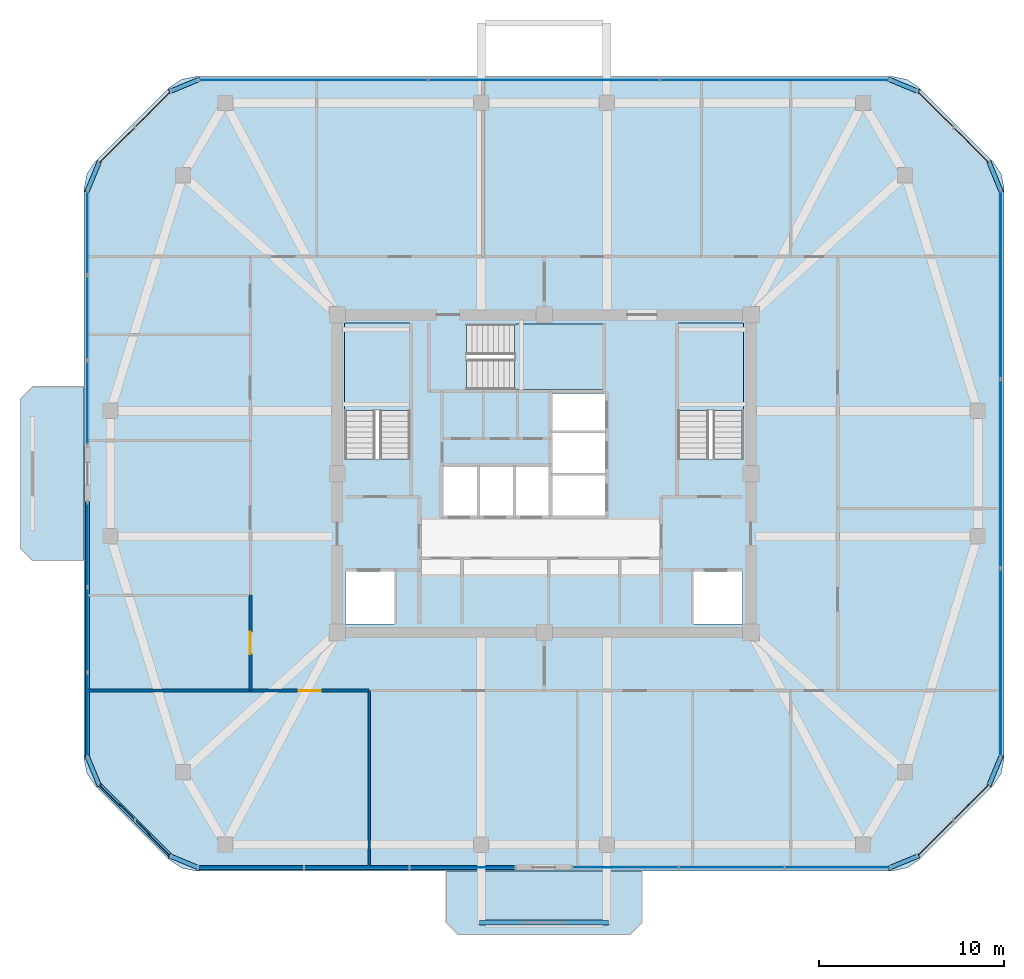
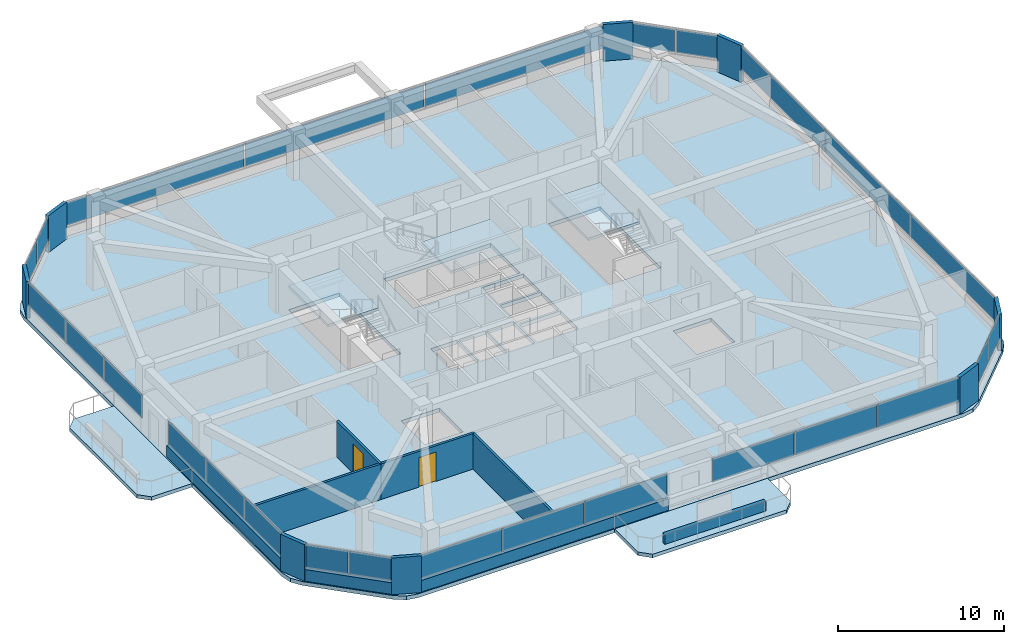
# One storey, part 7 of 13: 34 plates, 8 walls, 6 slabs, 2 doors, 2 openings, 13 elements without a shape of their own.
"""IFC4 building model written with IfcOpenShell, lengths in metres."""

from ifc_helpers import new_model, si_unit, derived_unit, direction, frame, frame_2d, origin, origin_2d, place, context, subcontext, project, spatial, polyline, rectangle, outline, extrude, material, layer, layer_set, type_object, element, fill, aggregate, save


model = new_model("IFC4")

# Units and contexts
model_context = context("Model", 3, precision=1e-05, world=origin(), true_north=direction((0.0, 1.0)))
body_context = subcontext(model_context, "Body", "Model", "MODEL_VIEW")
ifc_project = project(units=[si_unit("LENGTHUNIT", "METRE"), si_unit("AREAUNIT", "SQUARE_METRE"), si_unit("VOLUMEUNIT", "CUBIC_METRE"), si_unit("PLANEANGLEUNIT", "RADIAN"), si_unit("MASSUNIT", "GRAM", prefix="KILO"), derived_unit("THERMALTRANSMITTANCEUNIT", [(si_unit("POWERUNIT", "WATT"), 1), (si_unit("LENGTHUNIT", "METRE"), -2), (si_unit("THERMODYNAMICTEMPERATUREUNIT", "KELVIN"), -1)])], contexts=[model_context])

# Site, building, storey
site_placement = place(None, origin())
site = spatial("IfcSite", under=ifc_project, at=site_placement, CompositionType="ELEMENT")
building_placement = place(site_placement, origin())
building = spatial("IfcBuilding", under=site, at=building_placement, Name="Koralith Skygarden Medical Center", CompositionType="ELEMENT")
storey_placement = place(building_placement, frame((0.0, 0.0, 250.02001953125)))
storey = spatial("IfcBuildingStorey", under=building, at=storey_placement, Name="L64", CompositionType="ELEMENT", Elevation=250.02001953125)

# Curtain wall, plates
ifc_material_1 = material(Name="Clear Laminated Glass", Category="glass")
curtain_wall_type = type_object("IfcCurtainWallType", Name="CW-6 Zone 5 Upper Clinical Curtain Wall", PredefinedType="NOTDEFINED", material=ifc_material_1)
curtain_wall_1_placement = place(storey_placement, origin())
curtain_wall_1 = element("IfcCurtainWall", 1, at=curtain_wall_1_placement, inside=storey, type_object=curtain_wall_type, Name="Curtain Wall CW-L64-S-L", PredefinedType="NOTDEFINED")
ifc_layer_1 = layer(ifc_material_1, 0.0400390625)
ifc_layer_set_1 = layer_set([ifc_layer_1], Name="Clear Laminated Glass")
plate_type_1 = type_object("IfcPlateType", Name="CW-6 Hurricane Laminated IGU Panel 40", PredefinedType="CURTAIN_PANEL", material=ifc_layer_set_1)
plate_1_placement = place(storey_placement, frame((21.1220703125, 4.580078125, 0.919921875), z_axis=(0.0, 0.0, 1.0), x_axis=(1.0, 0.0, 0.0)))
plate_1 = element("IfcPlate", 2, at=plate_1_placement, type_object=plate_type_1, Name="CW-L64-S-L Glazed Panel 1", PredefinedType="CURTAIN_PANEL", context=body_context, shape_type="SweptSolid", body=[
    extrude(rectangle(XDim=5.64501953125, YDim=0.0400390625, at=origin_2d()), origin(), (0.0, 0.0, 1.0), 1.699951171875),
])
plate_2_placement = place(storey_placement, frame((26.85693359375, 4.580078125, 0.919921875), z_axis=(0.0, 0.0, 1.0), x_axis=(1.0, 0.0, 0.0)))
plate_2 = element("IfcPlate", 3, at=plate_2_placement, type_object=plate_type_1, Name="CW-L64-S-L Glazed Panel 2", PredefinedType="CURTAIN_PANEL", context=body_context, shape_type="SweptSolid", body=[
    extrude(rectangle(XDim=5.64501953125, YDim=0.0400390625, at=origin_2d()), origin(), (0.0, 0.0, 1.0), 1.699951171875),
])
plate_3_placement = place(storey_placement, frame((32.592041015625, 4.580078125, 0.919921875), z_axis=(0.0, 0.0, 1.0), x_axis=(1.0, 0.0, 0.0)))
plate_3 = element("IfcPlate", 4, at=plate_3_placement, type_object=plate_type_1, Name="CW-L64-S-L Glazed Panel 3", PredefinedType="CURTAIN_PANEL", context=body_context, shape_type="SweptSolid", body=[
    extrude(rectangle(XDim=5.64501953125, YDim=0.0400390625, at=origin_2d()), origin(), (0.0, 0.0, 1.0), 1.699951171875),
])
aggregate(curtain_wall_1, [plate_1, plate_2, plate_3])

curtain_wall_2_placement = place(storey_placement, origin())
curtain_wall_2 = element("IfcCurtainWall", 5, at=curtain_wall_2_placement, inside=storey, type_object=curtain_wall_type, Name="Curtain Wall CW-L64-S-R", PredefinedType="NOTDEFINED")
plate_4_placement = place(storey_placement, frame((41.406982421875, 4.580078125, 0.919921875), z_axis=(0.0, 0.0, 1.0), x_axis=(1.0, 0.0, 0.0)))
plate_4 = element("IfcPlate", 6, at=plate_4_placement, type_object=plate_type_1, Name="CW-L64-S-R Glazed Panel 1", PredefinedType="CURTAIN_PANEL", context=body_context, shape_type="SweptSolid", body=[
    extrude(rectangle(XDim=5.64501953125, YDim=0.0400390625, at=origin_2d()), origin(), (0.0, 0.0, 1.0), 1.699951171875),
])
plate_5_placement = place(storey_placement, frame((47.14208984375, 4.580078125, 0.919921875), z_axis=(0.0, 0.0, 1.0), x_axis=(1.0, 0.0, 0.0)))
plate_5 = element("IfcPlate", 7, at=plate_5_placement, type_object=plate_type_1, Name="CW-L64-S-R Glazed Panel 2", PredefinedType="CURTAIN_PANEL", context=body_context, shape_type="SweptSolid", body=[
    extrude(rectangle(XDim=5.64501953125, YDim=0.0400390625, at=origin_2d()), origin(), (0.0, 0.0, 1.0), 1.699951171875),
])
plate_6_placement = place(storey_placement, frame((52.876953125, 4.580078125, 0.919921875), z_axis=(0.0, 0.0, 1.0), x_axis=(1.0, 0.0, 0.0)))
plate_6 = element("IfcPlate", 8, at=plate_6_placement, type_object=plate_type_1, Name="CW-L64-S-R Glazed Panel 3", PredefinedType="CURTAIN_PANEL", context=body_context, shape_type="SweptSolid", body=[
    extrude(rectangle(XDim=5.64501953125, YDim=0.0400390625, at=origin_2d()), origin(), (0.0, 0.0, 1.0), 1.699951171875),
])
aggregate(curtain_wall_2, [plate_4, plate_5, plate_6])

curtain_wall_3_placement = place(storey_placement, origin())
curtain_wall_3 = element("IfcCurtainWall", 9, at=curtain_wall_3_placement, inside=storey, type_object=curtain_wall_type, Name="Curtain Wall CW-L64-SE", PredefinedType="NOTDEFINED")
plate_7_placement = place(storey_placement, frame((58.177001953125, 6.162109375, 0.919921875), z_axis=(0.0, 0.0, 1.0), x_axis=(0.707106781187, 0.707106781187, 0.0)))
plate_7 = element("IfcPlate", 10, at=plate_7_placement, type_object=plate_type_1, Name="CW-L64-SE Glazed Panel 1", PredefinedType="CURTAIN_PANEL", context=body_context, shape_type="SweptSolid", body=[
    extrude(rectangle(XDim=2.68408203125, YDim=0.0400390625, at=origin_2d()), origin(), (0.0, 0.0, 1.0), 1.699951171875),
])
plate_8_placement = place(storey_placement, frame((60.137939453125, 8.123046875, 0.919921875), z_axis=(0.0, 0.0, 1.0), x_axis=(0.707106781187, 0.707106781187, 0.0)))
plate_8 = element("IfcPlate", 11, at=plate_8_placement, type_object=plate_type_1, Name="CW-L64-SE Glazed Panel 2", PredefinedType="CURTAIN_PANEL", context=body_context, shape_type="SweptSolid", body=[
    extrude(rectangle(XDim=2.68408203125, YDim=0.0400390625, at=origin_2d()), origin(), (0.0, 0.0, 1.0), 1.699951171875),
])
aggregate(curtain_wall_3, [plate_7, plate_8])

curtain_wall_4_placement = place(storey_placement, origin())
curtain_wall_4 = element("IfcCurtainWall", 12, at=curtain_wall_4_placement, inside=storey, type_object=curtain_wall_type, Name="Curtain Wall CW-L64-E", PredefinedType="NOTDEFINED")
plate_9_placement = place(storey_placement, frame((61.719970703125, 15.669921875, 0.919921875), z_axis=(0.0, 0.0, 1.0), x_axis=(0.0, 1.0, 0.0)))
plate_9 = element("IfcPlate", 13, at=plate_9_placement, type_object=plate_type_1, Name="CW-L64-E Glazed Panel 1", PredefinedType="CURTAIN_PANEL", context=body_context, shape_type="SweptSolid", body=[
    extrude(rectangle(XDim=10.139892578125, YDim=0.0400390625, at=origin_2d()), origin(), (0.0, 0.0, 1.0), 1.699951171875),
])
plate_10_placement = place(storey_placement, frame((61.719970703125, 25.89990234375, 0.919921875), z_axis=(0.0, 0.0, 1.0), x_axis=(0.0, 1.0, 0.0)))
plate_10 = element("IfcPlate", 14, at=plate_10_placement, type_object=plate_type_1, Name="CW-L64-E Glazed Panel 2", PredefinedType="CURTAIN_PANEL", context=body_context, shape_type="SweptSolid", body=[
    extrude(rectangle(XDim=10.139892578125, YDim=0.0400390625, at=origin_2d()), origin(), (0.0, 0.0, 1.0), 1.699951171875),
])
plate_11_placement = place(storey_placement, frame((61.719970703125, 36.1298828125, 0.919921875), z_axis=(0.0, 0.0, 1.0), x_axis=(0.0, 1.0, 0.0)))
plate_11 = element("IfcPlate", 15, at=plate_11_placement, type_object=plate_type_1, Name="CW-L64-E Glazed Panel 3", PredefinedType="CURTAIN_PANEL", context=body_context, shape_type="SweptSolid", body=[
    extrude(rectangle(XDim=10.139892578125, YDim=0.0400390625, at=origin_2d()), origin(), (0.0, 0.0, 1.0), 1.699951171875),
])
aggregate(curtain_wall_4, [plate_9, plate_10, plate_11])

curtain_wall_5_placement = place(storey_placement, origin())
curtain_wall_5 = element("IfcCurtainWall", 16, at=curtain_wall_5_placement, inside=storey, type_object=curtain_wall_type, Name="Curtain Wall CW-L64-NE", PredefinedType="NOTDEFINED")
plate_12_placement = place(storey_placement, frame((60.137939453125, 43.677001953125, 0.919921875), z_axis=(0.0, 0.0, 1.0), x_axis=(-0.707106781187, 0.707106781187, 0.0)))
plate_12 = element("IfcPlate", 17, at=plate_12_placement, type_object=plate_type_1, Name="CW-L64-NE Glazed Panel 1", PredefinedType="CURTAIN_PANEL", context=body_context, shape_type="SweptSolid", body=[
    extrude(rectangle(XDim=2.68408203125, YDim=0.0400390625, at=origin_2d()), origin(), (0.0, 0.0, 1.0), 1.699951171875),
])
plate_13_placement = place(storey_placement, frame((58.177001953125, 45.637939453125, 0.919921875), z_axis=(0.0, 0.0, 1.0), x_axis=(-0.707106781187, 0.707106781187, 0.0)))
plate_13 = element("IfcPlate", 18, at=plate_13_placement, type_object=plate_type_1, Name="CW-L64-NE Glazed Panel 2", PredefinedType="CURTAIN_PANEL", context=body_context, shape_type="SweptSolid", body=[
    extrude(rectangle(XDim=2.68408203125, YDim=0.0400390625, at=origin_2d()), origin(), (0.0, 0.0, 1.0), 1.699951171875),
])
aggregate(curtain_wall_5, [plate_12, plate_13])

curtain_wall_6_placement = place(storey_placement, origin())
curtain_wall_6 = element("IfcCurtainWall", 19, at=curtain_wall_6_placement, inside=storey, type_object=curtain_wall_type, Name="Curtain Wall CW-L64-N", PredefinedType="NOTDEFINED")
plate_14_placement = place(storey_placement, frame((49.4970703125, 47.219970703125, 0.919921875), z_axis=(0.0, 0.0, 1.0), x_axis=(-1.0, 0.0, 0.0)))
plate_14 = element("IfcPlate", 20, at=plate_14_placement, type_object=plate_type_1, Name="CW-L64-N Glazed Panel 1", PredefinedType="CURTAIN_PANEL", context=body_context, shape_type="SweptSolid", body=[
    extrude(rectangle(XDim=12.406982421875, YDim=0.0400390625, at=origin_2d()), origin(), (0.0, 0.0, 1.0), 1.699951171875),
])
plate_15_placement = place(storey_placement, frame((37.0, 47.219970703125, 0.919921875), z_axis=(0.0, 0.0, 1.0), x_axis=(-1.0, 0.0, 0.0)))
plate_15 = element("IfcPlate", 21, at=plate_15_placement, type_object=plate_type_1, Name="CW-L64-N Glazed Panel 2", PredefinedType="CURTAIN_PANEL", context=body_context, shape_type="SweptSolid", body=[
    extrude(rectangle(XDim=12.406982421875, YDim=0.0400390625, at=origin_2d()), origin(), (0.0, 0.0, 1.0), 1.699951171875),
])
plate_16_placement = place(storey_placement, frame((24.5029296875, 47.219970703125, 0.919921875), z_axis=(0.0, 0.0, 1.0), x_axis=(-1.0, 0.0, 0.0)))
plate_16 = element("IfcPlate", 22, at=plate_16_placement, type_object=plate_type_1, Name="CW-L64-N Glazed Panel 3", PredefinedType="CURTAIN_PANEL", context=body_context, shape_type="SweptSolid", body=[
    extrude(rectangle(XDim=12.406982421875, YDim=0.0400390625, at=origin_2d()), origin(), (0.0, 0.0, 1.0), 1.699951171875),
])
aggregate(curtain_wall_6, [plate_14, plate_15, plate_16])

curtain_wall_7_placement = place(storey_placement, origin())
curtain_wall_7 = element("IfcCurtainWall", 23, at=curtain_wall_7_placement, inside=storey, type_object=curtain_wall_type, Name="Curtain Wall CW-L64-NW", PredefinedType="NOTDEFINED")
plate_17_placement = place(storey_placement, frame((15.822998046875, 45.637939453125, 0.919921875), z_axis=(0.0, 0.0, 1.0), x_axis=(-0.707106781187, -0.707106781187, 0.0)))
plate_17 = element("IfcPlate", 24, at=plate_17_placement, type_object=plate_type_1, Name="CW-L64-NW Glazed Panel 1", PredefinedType="CURTAIN_PANEL", context=body_context, shape_type="SweptSolid", body=[
    extrude(rectangle(XDim=2.68408203125, YDim=0.0400390625, at=origin_2d()), origin(), (0.0, 0.0, 1.0), 1.699951171875),
])
plate_18_placement = place(storey_placement, frame((13.862060546875, 43.677001953125, 0.919921875), z_axis=(0.0, 0.0, 1.0), x_axis=(-0.707106781187, -0.707106781187, 0.0)))
plate_18 = element("IfcPlate", 25, at=plate_18_placement, type_object=plate_type_1, Name="CW-L64-NW Glazed Panel 2", PredefinedType="CURTAIN_PANEL", context=body_context, shape_type="SweptSolid", body=[
    extrude(rectangle(XDim=2.68408203125, YDim=0.0400390625, at=origin_2d()), origin(), (0.0, 0.0, 1.0), 1.699951171875),
])
aggregate(curtain_wall_7, [plate_17, plate_18])

curtain_wall_8_placement = place(storey_placement, origin())
curtain_wall_8 = element("IfcCurtainWall", 26, at=curtain_wall_8_placement, inside=storey, type_object=curtain_wall_type, Name="Curtain Wall CW-L64-W-L", PredefinedType="NOTDEFINED")
plate_19_placement = place(storey_placement, frame((12.280029296875, 38.944091796875, 0.919921875), z_axis=(0.0, 0.0, 1.0), x_axis=(0.0, -1.0, 0.0)))
plate_19 = element("IfcPlate", 27, at=plate_19_placement, type_object=plate_type_1, Name="CW-L64-W-L Glazed Panel 1", PredefinedType="CURTAIN_PANEL", context=body_context, shape_type="SweptSolid", body=[
    extrude(rectangle(XDim=4.511962890625, YDim=0.0400390625, at=origin_2d()), origin(), (0.0, 0.0, 1.0), 1.699951171875),
])
plate_20_placement = place(storey_placement, frame((12.280029296875, 34.343017578125, 0.919921875), z_axis=(0.0, 0.0, 1.0), x_axis=(0.0, -1.0, 0.0)))
plate_20 = element("IfcPlate", 28, at=plate_20_placement, type_object=plate_type_1, Name="CW-L64-W-L Glazed Panel 2", PredefinedType="CURTAIN_PANEL", context=body_context, shape_type="SweptSolid", body=[
    extrude(rectangle(XDim=4.511962890625, YDim=0.0400390625, at=origin_2d()), origin(), (0.0, 0.0, 1.0), 1.699951171875),
])
plate_21_placement = place(storey_placement, frame((12.280029296875, 29.740966796875, 0.919921875), z_axis=(0.0, 0.0, 1.0), x_axis=(0.0, -1.0, 0.0)))
plate_21 = element("IfcPlate", 29, at=plate_21_placement, type_object=plate_type_1, Name="CW-L64-W-L Glazed Panel 3", PredefinedType="CURTAIN_PANEL", context=body_context, shape_type="SweptSolid", body=[
    extrude(rectangle(XDim=4.511962890625, YDim=0.0400390625, at=origin_2d()), origin(), (0.0, 0.0, 1.0), 1.699951171875),
])
aggregate(curtain_wall_8, [plate_19, plate_20, plate_21])

curtain_wall_9_placement = place(storey_placement, origin())
curtain_wall_9 = element("IfcCurtainWall", 30, at=curtain_wall_9_placement, inside=storey, type_object=curtain_wall_type, Name="Curtain Wall CW-L64-W-R", PredefinedType="NOTDEFINED")
plate_22_placement = place(storey_placement, frame((12.280029296875, 22.05908203125, 0.919921875), z_axis=(0.0, 0.0, 1.0), x_axis=(0.0, -1.0, 0.0)))
plate_22 = element("IfcPlate", 31, at=plate_22_placement, type_object=plate_type_1, Name="CW-L64-W-R Glazed Panel 1", PredefinedType="CURTAIN_PANEL", context=body_context, shape_type="SweptSolid", body=[
    extrude(rectangle(XDim=4.511962890625, YDim=0.0400390625, at=origin_2d()), origin(), (0.0, 0.0, 1.0), 1.699951171875),
])
plate_23_placement = place(storey_placement, frame((12.280029296875, 17.45703125, 0.919921875), z_axis=(0.0, 0.0, 1.0), x_axis=(0.0, -1.0, 0.0)))
plate_23 = element("IfcPlate", 32, at=plate_23_placement, type_object=plate_type_1, Name="CW-L64-W-R Glazed Panel 2", PredefinedType="CURTAIN_PANEL", context=body_context, shape_type="SweptSolid", body=[
    extrude(rectangle(XDim=4.511962890625, YDim=0.0400390625, at=origin_2d()), origin(), (0.0, 0.0, 1.0), 1.699951171875),
])
plate_24_placement = place(storey_placement, frame((12.280029296875, 12.85595703125, 0.919921875), z_axis=(0.0, 0.0, 1.0), x_axis=(0.0, -1.0, 0.0)))
plate_24 = element("IfcPlate", 33, at=plate_24_placement, type_object=plate_type_1, Name="CW-L64-W-R Glazed Panel 3", PredefinedType="CURTAIN_PANEL", context=body_context, shape_type="SweptSolid", body=[
    extrude(rectangle(XDim=4.511962890625, YDim=0.0400390625, at=origin_2d()), origin(), (0.0, 0.0, 1.0), 1.699951171875),
])
aggregate(curtain_wall_9, [plate_22, plate_23, plate_24])

curtain_wall_10_placement = place(storey_placement, origin())
curtain_wall_10 = element("IfcCurtainWall", 34, at=curtain_wall_10_placement, inside=storey, type_object=curtain_wall_type, Name="Curtain Wall CW-L64-SW", PredefinedType="NOTDEFINED")
plate_25_placement = place(storey_placement, frame((13.862060546875, 8.123046875, 0.919921875), z_axis=(0.0, 0.0, 1.0), x_axis=(0.707106781187, -0.707106781187, 0.0)))
plate_25 = element("IfcPlate", 35, at=plate_25_placement, type_object=plate_type_1, Name="CW-L64-SW Glazed Panel 1", PredefinedType="CURTAIN_PANEL", context=body_context, shape_type="SweptSolid", body=[
    extrude(rectangle(XDim=2.68408203125, YDim=0.0400390625, at=origin_2d()), origin(), (0.0, 0.0, 1.0), 1.699951171875),
])
plate_26_placement = place(storey_placement, frame((15.822998046875, 6.162109375, 0.919921875), z_axis=(0.0, 0.0, 1.0), x_axis=(0.707106781187, -0.707106781187, 0.0)))
plate_26 = element("IfcPlate", 36, at=plate_26_placement, type_object=plate_type_1, Name="CW-L64-SW Glazed Panel 2", PredefinedType="CURTAIN_PANEL", context=body_context, shape_type="SweptSolid", body=[
    extrude(rectangle(XDim=2.68408203125, YDim=0.0400390625, at=origin_2d()), origin(), (0.0, 0.0, 1.0), 1.699951171875),
])
aggregate(curtain_wall_10, [plate_25, plate_26])

# Slabs
ifc_material_2 = material(Name="Concrete C45/55", Category="concrete")
ifc_layer_2 = layer(ifc_material_2, 0.260009765625)
ifc_layer_set_2 = layer_set([ifc_layer_2], Name="Concrete C45/55")
slab_type_1 = type_object("IfcSlabType", Name="Cantilevered Planted Balcony Slab 260", PredefinedType="FLOOR", material=ifc_layer_set_2)
slab_1_placement = place(storey_placement, frame((0.0, 0.0, -0.260009765625)))
element("IfcSlab", 37, at=slab_1_placement, inside=storey, type_object=slab_type_1, Name="L64 S Planted Sky-Garden Balcony Slab", PredefinedType="FLOOR", context=body_context, shape_type="SweptSolid", body=[
    extrude(outline(polyline([(32.35009765625, 0.949951171875), (41.64990234375, 0.949951171875), (42.300048828125, 1.60009765625), (42.300048828125, 4.39990234375), (31.699951171875, 4.39990234375), (31.699951171875, 1.60009765625), (32.35009765625, 0.949951171875)])), origin(), (0.0, 0.0, 1.0), 0.260009765625),
])
slab_2_placement = place(storey_placement, frame((0.0, 0.0, -0.260009765625)))
element("IfcSlab", 38, at=slab_2_placement, inside=storey, type_object=slab_type_1, Name="L64 W Planted Sky-Garden Balcony Slab", PredefinedType="FLOOR", context=body_context, shape_type="SweptSolid", body=[
    extrude(outline(polyline([(9.300048828125, 21.199951171875), (12.10009765625, 21.199951171875), (12.10009765625, 30.60009765625), (9.300048828125, 30.60009765625), (8.64990234375, 29.949951171875), (8.64990234375, 21.85009765625), (9.300048828125, 21.199951171875)])), origin(), (0.0, 0.0, 1.0), 0.260009765625),
])

# Stair, slab
stair_type = type_object("IfcStairType", Name="Core Exit Dogleg Concrete Stair", PredefinedType="HALF_TURN_STAIR", material=ifc_material_2)
stair_1_placement = place(storey_placement, origin())
stair_1 = element("IfcStair", 39, at=stair_1_placement, inside=storey, type_object=stair_type, Name="L64 Smokeproof Exit Stair ST1", PredefinedType="HALF_TURN_STAIR")
ifc_layer_3 = layer(ifc_material_2, 0.199951171875)
ifc_layer_set_3 = layer_set([ifc_layer_3], Name="Concrete C45/55")
slab_type_2 = type_object("IfcSlabType", Name="Core Exit Concrete Stair Landing 200", PredefinedType="LANDING", material=ifc_layer_set_3)
slab_3_placement = place(storey_placement, frame((0.0, 0.0, 1.60009765625)))
slab_3 = element("IfcSlab", 40, at=slab_3_placement, type_object=slab_type_2, Name="ST1 landing 1", PredefinedType="LANDING", context=body_context, shape_type="SweptSolid", body=[
    extrude(outline(polyline([(29.75, 29.31005859375), (29.75, 34.050048828125), (26.199951171875, 34.050048828125), (26.199951171875, 29.31005859375), (29.75, 29.31005859375)])), origin(), (0.0, 0.0, 1.0), 0.199951171875),
])
aggregate(stair_1, [slab_3])

stair_2_placement = place(storey_placement, origin())
stair_2 = element("IfcStair", 41, at=stair_2_placement, inside=storey, type_object=stair_type, Name="L64 Smokeproof Exit Stair ST2", PredefinedType="HALF_TURN_STAIR")
slab_4_placement = place(storey_placement, frame((0.0, 0.0, 1.60009765625)))
slab_4 = element("IfcSlab", 42, at=slab_4_placement, type_object=slab_type_2, Name="ST2 landing 1", PredefinedType="LANDING", context=body_context, shape_type="SweptSolid", body=[
    extrude(outline(polyline([(47.800048828125, 29.31005859375), (47.800048828125, 34.050048828125), (44.25, 34.050048828125), (44.25, 29.31005859375), (47.800048828125, 29.31005859375)])), origin(), (0.0, 0.0, 1.0), 0.199951171875),
])
aggregate(stair_2, [slab_4])

stair_3_placement = place(storey_placement, origin())
stair_3 = element("IfcStair", 43, at=stair_3_placement, inside=storey, type_object=stair_type, Name="L64 Smokeproof Exit Stair ST3", PredefinedType="HALF_TURN_STAIR")
slab_5_placement = place(storey_placement, frame((0.0, 0.0, 1.60009765625)))
slab_5 = element("IfcSlab", 44, at=slab_5_placement, type_object=slab_type_2, Name="ST3 landing 1", PredefinedType="LANDING", context=body_context, shape_type="SweptSolid", body=[
    extrude(outline(polyline([(35.409912109375, 30.449951171875), (40.199951171875, 30.449951171875), (40.199951171875, 34.0), (35.409912109375, 34.0), (35.409912109375, 30.449951171875)])), origin(), (0.0, 0.0, 1.0), 0.199951171875),
])
aggregate(stair_3, [slab_5])

# Slab
ifc_layer_4 = layer(ifc_material_2, 0.280029296875)
ifc_layer_set_4 = layer_set([ifc_layer_4], Name="Concrete C45/55")
slab_type_3 = type_object("IfcSlabType", Name="Post-Tensioned Ward Floor Plate 280", PredefinedType="FLOOR", material=ifc_layer_set_4)
slab_6_placement = place(storey_placement, frame((0.0, 0.0, -0.280029296875)))
element("IfcSlab", 45, at=slab_6_placement, inside=storey, type_object=slab_type_3, Name="Level L64 Structural Floor Slab", PredefinedType="FLOOR", context=body_context, shape_type="SweptSolid", body=[
    extrude(outline(polyline([(16.714111328125, 4.986083984375), (17.363037109375, 4.552001953125), (18.1279296875, 4.39990234375), (55.8720703125, 4.39990234375), (56.636962890625, 4.552001953125), (57.285888671875, 4.986083984375), (61.31396484375, 9.013916015625), (61.748046875, 9.6630859375), (61.89990234375, 10.427978515625), (61.89990234375, 41.3720703125), (61.748046875, 42.136962890625), (61.31396484375, 42.785888671875), (57.285888671875, 46.81396484375), (56.636962890625, 47.248046875), (55.8720703125, 47.39990234375), (18.1279296875, 47.39990234375), (17.363037109375, 47.248046875), (16.714111328125, 46.81396484375), (12.68603515625, 42.785888671875), (12.251953125, 42.136962890625), (12.10009765625, 41.3720703125), (12.10009765625, 10.427978515625), (12.251953125, 9.6630859375), (12.68603515625, 9.013916015625), (16.714111328125, 4.986083984375)]), holes=[polyline([(26.199951171875, 26.705078125), (29.75, 26.705078125), (29.75, 34.050048828125), (26.199951171875, 34.050048828125), (26.199951171875, 26.705078125)]), polyline([(44.25, 26.705078125), (47.800048828125, 26.705078125), (47.800048828125, 34.050048828125), (44.25, 34.050048828125), (44.25, 26.705078125)]), polyline([(32.804931640625, 30.449951171875), (40.199951171875, 30.449951171875), (40.199951171875, 34.0), (32.804931640625, 34.0), (32.804931640625, 30.449951171875)]), polyline([(26.25, 17.75), (28.89990234375, 17.75), (28.89990234375, 20.60009765625), (26.25, 20.60009765625), (26.25, 17.75)]), polyline([(45.10009765625, 17.75), (47.75, 17.75), (47.75, 20.60009765625), (45.10009765625, 20.60009765625), (45.10009765625, 17.75)]), polyline([(31.550048828125, 23.64990234375), (33.39990234375, 23.64990234375), (33.39990234375, 26.25), (31.550048828125, 26.25), (31.550048828125, 23.64990234375)]), polyline([(33.5, 23.64990234375), (35.35009765625, 23.64990234375), (35.35009765625, 26.25), (33.5, 26.25), (33.5, 23.64990234375)]), polyline([(35.449951171875, 23.64990234375), (37.300048828125, 23.64990234375), (37.300048828125, 26.25), (35.449951171875, 26.25), (35.449951171875, 23.64990234375)]), polyline([(37.449951171875, 23.64990234375), (40.300048828125, 23.64990234375), (40.300048828125, 25.800048828125), (37.449951171875, 25.800048828125), (37.449951171875, 23.64990234375)]), polyline([(37.449951171875, 25.949951171875), (40.300048828125, 25.949951171875), (40.300048828125, 28.10009765625), (37.449951171875, 28.10009765625), (37.449951171875, 25.949951171875)]), polyline([(37.449951171875, 28.25), (40.300048828125, 28.25), (40.300048828125, 30.25), (37.449951171875, 30.25), (37.449951171875, 28.25)])]), origin(), (0.0, 0.0, 1.0), 0.280029296875),
])

# Plates
ifc_material_3 = material(Name="Warm Oolitic Limestone Cladding", Category="masonry")
ifc_layer_5 = layer(ifc_material_3, 0.239990234375)
ifc_layer_set_5 = layer_set([ifc_layer_5], Name="Warm Oolitic Limestone Cladding")
plate_type_2 = type_object("IfcPlateType", Name="Rounded-Corner Oolitic Limestone Cladding Panel 240", PredefinedType="USERDEFINED", material=ifc_layer_set_5)
for number, where, z_axis, x_axis, name in (
    (46, (56.470947265625, 4.8798828125, 0.0), (0.0, 0.0, 1.0), (0.92388487569, 0.382670532536, 0.0), "L64 Rounded-Corner Limestone Pier 1"),
    (47, (61.4189453125, 9.8291015625, 0.0), (0.0, 0.0, 1.0), (0.382670532536, 0.92388487569, 0.0), "L64 Rounded-Corner Limestone Pier 2"),
    (48, (61.4189453125, 41.970947265625, 0.0), (0.0, 0.0, 1.0), (-0.382670532536, 0.92388487569, 0.0), "L64 Rounded-Corner Limestone Pier 3"),
    (49, (56.470947265625, 46.9189453125, 0.0), (0.0, 0.0, 1.0), (-0.92388487569, 0.382670532536, 0.0), "L64 Rounded-Corner Limestone Pier 4"),
    (50, (17.529052734375, 46.9189453125, 0.0), (0.0, 0.0, 1.0), (-0.92388487569, -0.382670532536, 0.0), "L64 Rounded-Corner Limestone Pier 5"),
    (51, (12.5810546875, 41.970947265625, 0.0), (0.0, 0.0, 1.0), (-0.382670532536, -0.92388487569, 0.0), "L64 Rounded-Corner Limestone Pier 6"),
    (52, (12.5810546875, 9.8291015625, 0.0), (0.0, 0.0, 1.0), (0.382670532536, -0.92388487569, 0.0), "L64 Rounded-Corner Limestone Pier 7"),
    (53, (17.529052734375, 4.8798828125, 0.0), (0.0, 0.0, 1.0), (0.92388487569, -0.382670532536, 0.0), "L64 Rounded-Corner Limestone Pier 8"),
):
    element("IfcPlate", number, at=place(storey_placement, frame(where, z_axis=z_axis, x_axis=x_axis)), inside=storey, type_object=plate_type_2, Name=name, ObjectType="LIMESTONE CLADDING", PredefinedType="USERDEFINED", context=body_context, shape_type="SweptSolid", body=[
        extrude(rectangle(XDim=1.81103515625, YDim=0.239990234375, at=origin_2d()), origin(), (0.0, 0.0, 1.0), 2.68994140625),
    ])

# Walls
ifc_material_4 = material(Name="Gypsum Board Partition")
ifc_layer_6 = layer(ifc_material_4, 0.14990234375)
ifc_layer_set_6 = layer_set([ifc_layer_6], Name="Gypsum Board Partition")
wall_type_1 = type_object("IfcWallType", Name="Clinical Acoustic Partition 150", PredefinedType="PARTITIONING", material=ifc_layer_set_6)
wall_1_placement = place(storey_placement, frame((27.528076171875, 14.14990234375, 0.0), z_axis=(0.0, 0.0, 1.0), x_axis=(0.0, -1.0, 0.0)))
element("IfcWall", 54, at=wall_1_placement, inside=storey, type_object=wall_type_1, Name="L64 Clinical Acoustic Partition 150 W-PART-L64-S-01", PredefinedType="PARTITIONING", context=body_context, shape_type="SweptSolid", body=[
    extrude(rectangle(XDim=9.5498046875, YDim=0.14990234375, at=frame_2d((4.77490234375, 0.0))), origin(), (0.0, 0.0, 1.0), 2.60986328125),
])
ifc_layer_7 = layer(ifc_material_4, 0.1650390625)
ifc_layer_set_7 = layer_set([ifc_layer_7], Name="Gypsum Board Partition")
wall_type_2 = type_object("IfcWallType", Name="Clinical Corridor Partition 165", PredefinedType="PARTITIONING", material=ifc_layer_set_7)
wall_2_placement = place(storey_placement, frame((12.300048828125, 14.14990234375, 0.0), z_axis=(0.0, 0.0, 1.0), x_axis=(1.0, 0.0, 0.0)))
element("IfcWall", 55, at=wall_2_placement, inside=storey, type_object=wall_type_2, Name="L64 Clinical Corridor Partition 165 W-WB-L64-SW", PredefinedType="PARTITIONING", context=body_context, shape_type="SweptSolid", body=[
    extrude(rectangle(XDim=8.800048828125, YDim=0.1650390625, at=frame_2d((4.39990234375, 0.0))), origin(), (0.0, 0.0, 1.0), 2.60986328125),
])

# Wall, opening, door
wall_3_placement = place(storey_placement, frame((21.10009765625, 14.14990234375, 0.0), z_axis=(0.0, 0.0, 1.0), x_axis=(1.0, 0.0, 0.0)))
wall_3 = element("IfcWall", 56, at=wall_3_placement, inside=storey, type_object=wall_type_2, Name="L64 Clinical Corridor Partition 165 W-CORR-L64-S-01", PredefinedType="PARTITIONING", context=body_context, shape_type="SweptSolid", body=[
    extrude(rectangle(XDim=6.427978515625, YDim=0.1650390625, at=frame_2d((3.2138671875, 0.0))), origin(), (0.0, 0.0, 1.0), 2.60986328125),
])
opening_1_placement = place(wall_3_placement, frame((2.614013671875, 0.0, 0.0)))
opening_1 = element("IfcOpeningElement", 57, at=opening_1_placement, cuts=wall_3, Name="Opening D-CLN", PredefinedType="OPENING", context=body_context, shape_type="SweptSolid", body=[
    extrude(rectangle(XDim=1.199951171875, YDim=2.14990234375, at=frame_2d((0.60009765625, 1.074951171875))), frame((0.0, 0.092529296875, 0.0), z_axis=(0.0, -1.0, 0.0), x_axis=(1.0, 0.0, 0.0)), (0.0, 0.0, 1.0), 0.18505859375),
])
ifc_material_5 = material(Name="Aluminium 6063-T6", Category="aluminium")
door_type = type_object("IfcDoorType", Name="Clinical Corridor Door D-CLN 1200", OperationType="NOTDEFINED", PredefinedType="DOOR", material=ifc_material_5)
door_1_placement = place(opening_1_placement, frame((1.199951171875, 0.0, 0.0), z_axis=(0.0, 0.0, 1.0), x_axis=(-1.0, 0.0, 0.0)))
door_1 = element("IfcDoor", 58, at=door_1_placement, inside=storey, type_object=door_type, Name="L64 Clinical Pharmacist Office 06 Door", OperationType="SINGLE_SWING_LEFT", OverallHeight=2.14990234375, OverallWidth=1.199951171875, PredefinedType="DOOR", context=body_context, shape_type="SweptSolid", body=[
    extrude(rectangle(XDim=1.199951171875, YDim=2.14990234375, at=frame_2d((0.60009765625, 1.074951171875))), frame((0.0, 0.02490234375, 0.0), z_axis=(0.0, -1.0, 0.0), x_axis=(1.0, 0.0, 0.0)), (0.0, 0.0, 1.0), 0.050048828125),
])
fill(opening_1, door_1)

wall_4_placement = place(storey_placement, frame((21.10009765625, 14.14990234375, 0.0), z_axis=(0.0, 0.0, 1.0), x_axis=(0.0, 1.0, 0.0)))
wall_4 = element("IfcWall", 59, at=wall_4_placement, inside=storey, type_object=wall_type_2, Name="L64 Clinical Corridor Partition 165 W-CORR-L64-W-01", PredefinedType="PARTITIONING", context=body_context, shape_type="SweptSolid", body=[
    extrude(rectangle(XDim=5.170166015625, YDim=0.1650390625, at=frame_2d((2.5849609375, 0.0))), origin(), (0.0, 0.0, 1.0), 2.60986328125),
])
opening_2_placement = place(wall_4_placement, frame((1.985107421875, 0.0, 0.0)))
opening_2 = element("IfcOpeningElement", 60, at=opening_2_placement, cuts=wall_4, Name="Opening D-CLN", PredefinedType="OPENING", context=body_context, shape_type="SweptSolid", body=[
    extrude(rectangle(XDim=1.199951171875, YDim=2.14990234375, at=frame_2d((0.60009765625, 1.074951171875))), frame((0.0, 0.092529296875, 0.0), z_axis=(0.0, -1.0, 0.0), x_axis=(1.0, 0.0, 0.0)), (0.0, 0.0, 1.0), 0.18505859375),
])
door_2_placement = place(opening_2_placement, frame((1.199951171875, 0.0, 0.0), z_axis=(0.0, 0.0, 1.0), x_axis=(-1.0, 0.0, 0.0)))
door_2 = element("IfcDoor", 61, at=door_2_placement, inside=storey, type_object=door_type, Name="L64 Clinical Pharmacist Office 11 Door", OperationType="SINGLE_SWING_RIGHT", OverallHeight=2.14990234375, OverallWidth=1.199951171875, PredefinedType="DOOR", context=body_context, shape_type="SweptSolid", body=[
    extrude(rectangle(XDim=1.199951171875, YDim=2.14990234375, at=frame_2d((0.60009765625, 1.074951171875))), frame((0.0, 0.02490234375, 0.0), z_axis=(0.0, -1.0, 0.0), x_axis=(1.0, 0.0, 0.0)), (0.0, 0.0, 1.0), 0.050048828125),
])
fill(opening_2, door_2)

# Walls
ifc_layer_8 = layer(ifc_material_3, 0.239990234375)
ifc_layer_set_8 = layer_set([ifc_layer_8], Name="Warm Oolitic Limestone Cladding")
wall_type_3 = type_object("IfcWallType", Name="Limestone Spandrel Sill Backup Wall 240", PredefinedType="SOLIDWALL", material=ifc_layer_set_8)
wall_5_placement = place(storey_placement, frame((18.2548828125, 4.580078125, 0.0), z_axis=(0.0, 0.0, 1.0), x_axis=(1.0, 0.0, 0.0)))
element("IfcWall", 62, at=wall_5_placement, inside=storey, type_object=wall_type_3, Name="L64 Sill Spandrel S-L", PredefinedType="SOLIDWALL", context=body_context, shape_type="SweptSolid", body=[
    extrude(rectangle(XDim=17.2041015625, YDim=0.239990234375, at=frame_2d((8.60205078125, 0.0))), origin(), (0.0, 0.0, 1.0), 0.85009765625),
])
wall_6_placement = place(storey_placement, frame((12.280029296875, 24.360107421875, 0.0), z_axis=(0.0, 0.0, 1.0), x_axis=(0.0, -1.0, 0.0)))
element("IfcWall", 63, at=wall_6_placement, inside=storey, type_object=wall_type_3, Name="L64 Sill Spandrel W-R", PredefinedType="SOLIDWALL", context=body_context, shape_type="SweptSolid", body=[
    extrude(rectangle(XDim=13.80517578125, YDim=0.239990234375, at=frame_2d((6.902587890625, 0.0))), origin(), (0.0, 0.0, 1.0), 0.85009765625),
])
wall_7_placement = place(storey_placement, frame((12.881103515625, 9.10400390625, 0.0), z_axis=(0.0, 0.0, 1.0), x_axis=(0.707084777957, -0.707128783731, 0.0)))
element("IfcWall", 64, at=wall_7_placement, inside=storey, type_object=wall_type_3, Name="L64 Sill Spandrel SW", PredefinedType="SOLIDWALL", context=body_context, shape_type="SweptSolid", body=[
    extrude(rectangle(XDim=5.5478515625, YDim=0.239990234375, at=frame_2d((2.77392578125, 0.0))), origin(), (0.0, 0.0, 1.0), 0.85009765625),
])
ifc_material_6 = material(Name="Precast concrete C40/50", Category="concrete")
ifc_layer_9 = layer(ifc_material_6, 0.25)
ifc_layer_set_9 = layer_set([ifc_layer_9], Name="Precast concrete C40/50")
wall_type_4 = type_object("IfcWallType", Name="Structural Concrete Balcony Planter Kerb 250", PredefinedType="PARAPET", material=ifc_layer_set_9)
wall_8_placement = place(storey_placement, frame((33.5, 1.60009765625, 0.0), z_axis=(0.0, 0.0, 1.0), x_axis=(1.0, 0.0, 0.0)))
element("IfcWall", 65, at=wall_8_placement, inside=storey, type_object=wall_type_4, Name="L64 S Structural Tree PLANTER Box", PredefinedType="PARAPET", context=body_context, shape_type="SweptSolid", body=[
    extrude(rectangle(XDim=7.0, YDim=0.25, at=frame_2d((3.5, 0.0))), origin(), (0.0, 0.0, 1.0), 0.719970703125),
])

save(model, "model.ifc")
